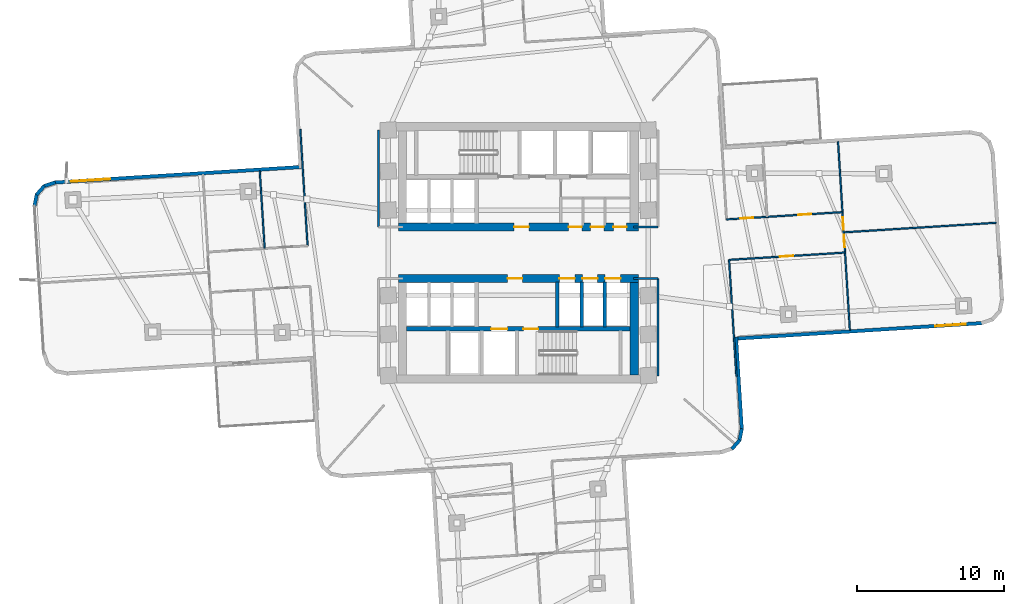
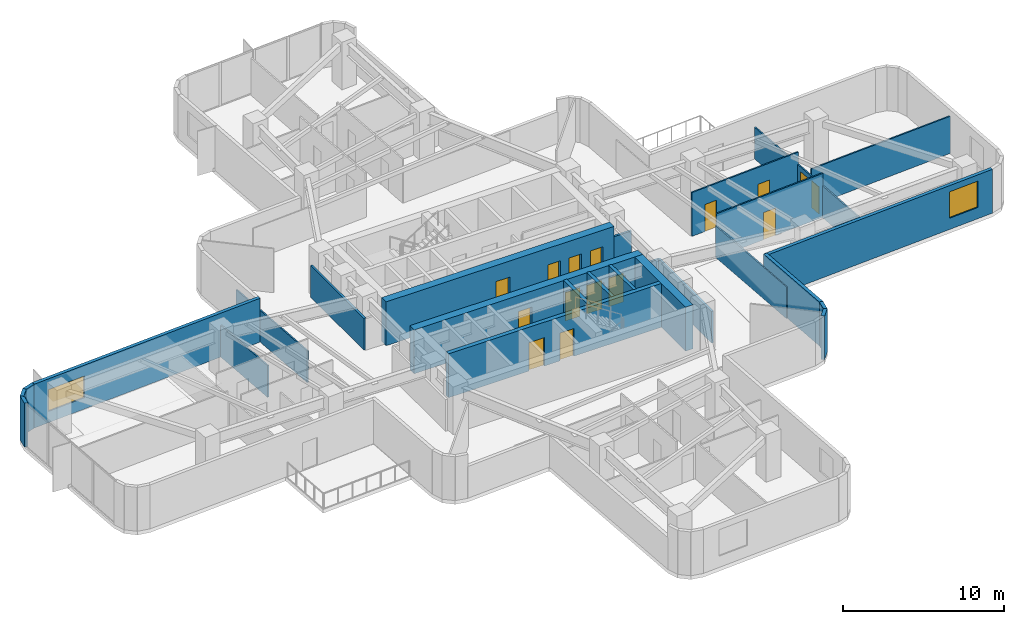
# One storey, part 9 of 16: 26 walls, 15 doors, 2 windows, 17 openings.
"""IFC4 building model written with IfcOpenShell, lengths in metres."""

from ifc_helpers import new_model, si_unit, direction, frame, frame_2d, origin, place, context, subcontext, project, spatial, rectangle, extrude, material, layer, layer_set, type_object, element, fill, save


model = new_model("IFC4")

# Units and contexts
model_context = context("Model", 3, precision=1e-05, world=origin(), true_north=direction((0.0, 1.0)))
body_context = subcontext(model_context, "Body", "Model", "MODEL_VIEW")
ifc_project = project(units=[si_unit("LENGTHUNIT", "METRE"), si_unit("AREAUNIT", "SQUARE_METRE"), si_unit("VOLUMEUNIT", "CUBIC_METRE"), si_unit("PLANEANGLEUNIT", "RADIAN"), si_unit("MASSUNIT", "GRAM", prefix="KILO")], contexts=[model_context])

# Site, building, storey
site_placement = place(None, origin())
site = spatial("IfcSite", under=ifc_project, at=site_placement, CompositionType="ELEMENT")
building_placement = place(site_placement, origin())
building = spatial("IfcBuilding", under=site, at=building_placement, Name="Solmarez Civic Tower", CompositionType="ELEMENT")
storey_placement = place(building_placement, frame((0.0, 0.0, 53.280029296875)))
storey = spatial("IfcBuildingStorey", under=building, at=storey_placement, Name="L13", CompositionType="ELEMENT", Elevation=53.280029296875)

# Wall, openings, doors
ifc_material_1 = material(Name="Concrete C60/75", Category="concrete")
ifc_layer_1 = layer(ifc_material_1, 0.550048828125)
ifc_layer_set_1 = layer_set([ifc_layer_1], Name="Concrete C60/75")
wall_type_1 = type_object("IfcWallType", Name="WALL-CORE-550", PredefinedType="SHEAR", material=ifc_layer_set_1)
wall_1_placement = place(storey_placement, frame((8.169921875, 1.75, 0.0), z_axis=(0.0, 0.0, 1.0), x_axis=(-1.0, 0.0, 0.0)))
wall_1 = element("IfcWall", 1, at=wall_1_placement, inside=storey, type_object=wall_type_1, Name="L13 Split-Core Structural Wall NCW-S-L13", PredefinedType="SHEAR", context=body_context, shape_type="SweptSolid", body=[
    extrude(rectangle(XDim=16.33984375, YDim=0.550048828125, at=frame_2d((8.169921875, 0.0))), origin(), (0.0, 0.0, 1.0), 3.320068359375),
])
opening_1_placement = place(wall_1_placement, frame((7.449951171875, 0.0, 0.0)))
opening_1 = element("IfcOpeningElement", 2, at=opening_1_placement, cuts=wall_1, Name="Opening D-04", PredefinedType="OPENING", context=body_context, shape_type="SweptSolid", body=[
    extrude(rectangle(XDim=1.0, YDim=2.10009765625, at=frame_2d((0.5, 1.050048828125))), frame((0.0, 0.284912109375, 0.0), z_axis=(0.0, -1.0, 0.0), x_axis=(1.0, 0.0, 0.0)), (0.0, 0.0, 1.0), 0.570068359375),
])
opening_2_placement = place(wall_1_placement, frame((3.85009765625, 0.0, 0.0)))
opening_2 = element("IfcOpeningElement", 3, at=opening_2_placement, cuts=wall_1, Name="Opening D-09", PredefinedType="OPENING", context=body_context, shape_type="SweptSolid", body=[
    extrude(rectangle(XDim=0.89990234375, YDim=2.06005859375, at=frame_2d((0.449951171875, 1.030029296875))), frame((0.0, 0.284912109375, 0.0), z_axis=(0.0, -1.0, 0.0), x_axis=(1.0, 0.0, 0.0)), (0.0, 0.0, 1.0), 0.570068359375),
])
opening_3_placement = place(wall_1_placement, frame((2.35009765625, 0.0, 0.0)))
opening_3 = element("IfcOpeningElement", 4, at=opening_3_placement, cuts=wall_1, Name="Opening D-09", PredefinedType="OPENING", context=body_context, shape_type="SweptSolid", body=[
    extrude(rectangle(XDim=0.89990234375, YDim=2.06005859375, at=frame_2d((0.449951171875, 1.030029296875))), frame((0.0, 0.284912109375, 0.0), z_axis=(0.0, -1.0, 0.0), x_axis=(1.0, 0.0, 0.0)), (0.0, 0.0, 1.0), 0.570068359375),
])
opening_4_placement = place(wall_1_placement, frame((0.800048828125, 0.0, 0.0)))
opening_4 = element("IfcOpeningElement", 5, at=opening_4_placement, cuts=wall_1, Name="Opening D-09", PredefinedType="OPENING", context=body_context, shape_type="SweptSolid", body=[
    extrude(rectangle(XDim=0.89990234375, YDim=2.06005859375, at=frame_2d((0.449951171875, 1.030029296875))), frame((0.0, 0.284912109375, 0.0), z_axis=(0.0, -1.0, 0.0), x_axis=(1.0, 0.0, 0.0)), (0.0, 0.0, 1.0), 0.570068359375),
])
ifc_material_2 = material(Name="Steel-Faced Acoustic Fire Door", Category="steel")
door_type_1 = type_object("IfcDoorType", Name="DOOR-FD60-1000", OperationType="NOTDEFINED", PredefinedType="DOOR", material=ifc_material_2)
door_1_placement = place(opening_1_placement, origin())
door_1 = element("IfcDoor", 6, at=door_1_placement, inside=storey, type_object=door_type_1, Name="L13 North Firefighting Lobby Door", OperationType="SINGLE_SWING_RIGHT", OverallHeight=2.10009765625, OverallWidth=1.0, PredefinedType="DOOR", context=body_context, shape_type="SweptSolid", body=[
    extrude(rectangle(XDim=1.0, YDim=2.10009765625, at=frame_2d((0.5, 1.050048828125))), frame((0.0, 0.02490234375, 0.0), z_axis=(0.0, -1.0, 0.0), x_axis=(1.0, 0.0, 0.0)), (0.0, 0.0, 1.0), 0.050048828125),
])
fill(opening_1, door_1)
ifc_material_3 = material(Name="Fire-Rated Service Core Door", Category="wood")
door_type_2 = type_object("IfcDoorType", Name="DOOR-FD60-900", OperationType="NOTDEFINED", PredefinedType="DOOR", material=ifc_material_3)
door_2_placement = place(opening_2_placement, origin())
door_2 = element("IfcDoor", 7, at=door_2_placement, inside=storey, type_object=door_type_2, Name="L13 Core WC Door", OperationType="SINGLE_SWING_RIGHT", OverallHeight=2.06005859375, OverallWidth=0.89990234375, PredefinedType="DOOR", context=body_context, shape_type="SweptSolid", body=[
    extrude(rectangle(XDim=0.89990234375, YDim=2.06005859375, at=frame_2d((0.449951171875, 1.030029296875))), frame((0.0, 0.02490234375, 0.0), z_axis=(0.0, -1.0, 0.0), x_axis=(1.0, 0.0, 0.0)), (0.0, 0.0, 1.0), 0.050048828125),
])
fill(opening_2, door_2)
door_3_placement = place(opening_3_placement, origin())
door_3 = element("IfcDoor", 8, at=door_3_placement, inside=storey, type_object=door_type_2, Name="L13 Core CL Door", OperationType="SINGLE_SWING_LEFT", OverallHeight=2.06005859375, OverallWidth=0.89990234375, PredefinedType="DOOR", context=body_context, shape_type="SweptSolid", body=[
    extrude(rectangle(XDim=0.89990234375, YDim=2.06005859375, at=frame_2d((0.449951171875, 1.030029296875))), frame((0.0, 0.02490234375, 0.0), z_axis=(0.0, -1.0, 0.0), x_axis=(1.0, 0.0, 0.0)), (0.0, 0.0, 1.0), 0.050048828125),
])
fill(opening_3, door_3)
door_4_placement = place(opening_4_placement, origin())
door_4 = element("IfcDoor", 9, at=door_4_placement, inside=storey, type_object=door_type_2, Name="L13 Core IT Door", OperationType="SINGLE_SWING_LEFT", OverallHeight=2.06005859375, OverallWidth=0.89990234375, PredefinedType="DOOR", context=body_context, shape_type="SweptSolid", body=[
    extrude(rectangle(XDim=0.89990234375, YDim=2.06005859375, at=frame_2d((0.449951171875, 1.030029296875))), frame((0.0, 0.02490234375, 0.0), z_axis=(0.0, -1.0, 0.0), x_axis=(1.0, 0.0, 0.0)), (0.0, 0.0, 1.0), 0.050048828125),
])
fill(opening_4, door_4)

wall_2_placement = place(storey_placement, frame((-8.169921875, -1.75, 0.0), z_axis=(0.0, 0.0, 1.0), x_axis=(1.0, 0.0, 0.0)))
wall_2 = element("IfcWall", 10, at=wall_2_placement, inside=storey, type_object=wall_type_1, Name="L13 Split-Core Structural Wall SCW-N-L13", PredefinedType="SHEAR", context=body_context, shape_type="SweptSolid", body=[
    extrude(rectangle(XDim=16.33984375, YDim=0.550048828125, at=frame_2d((8.169921875, 0.0))), origin(), (0.0, 0.0, 1.0), 3.320068359375),
])
opening_5_placement = place(wall_2_placement, frame((7.449951171875, 0.0, 0.0)))
opening_5 = element("IfcOpeningElement", 11, at=opening_5_placement, cuts=wall_2, Name="Opening D-04", PredefinedType="OPENING", context=body_context, shape_type="SweptSolid", body=[
    extrude(rectangle(XDim=1.0, YDim=2.10009765625, at=frame_2d((0.5, 1.050048828125))), frame((0.0, 0.284912109375, 0.0), z_axis=(0.0, -1.0, 0.0), x_axis=(1.0, 0.0, 0.0)), (0.0, 0.0, 1.0), 0.570068359375),
])
opening_6_placement = place(wall_2_placement, frame((10.965087890625, 0.0, 0.0)))
opening_6 = element("IfcOpeningElement", 12, at=opening_6_placement, cuts=wall_2, Name="Opening LD-01", PredefinedType="OPENING", context=body_context, shape_type="SweptSolid", body=[
    extrude(rectangle(XDim=1.050048828125, YDim=2.14990234375, at=frame_2d((0.52490234375, 1.074951171875))), frame((0.0, 0.284912109375, 0.0), z_axis=(0.0, -1.0, 0.0), x_axis=(1.0, 0.0, 0.0)), (0.0, 0.0, 1.0), 0.570068359375),
])
opening_7_placement = place(wall_2_placement, frame((12.52490234375, 0.0, 0.0)))
opening_7 = element("IfcOpeningElement", 13, at=opening_7_placement, cuts=wall_2, Name="Opening LD-01", PredefinedType="OPENING", context=body_context, shape_type="SweptSolid", body=[
    extrude(rectangle(XDim=1.050048828125, YDim=2.14990234375, at=frame_2d((0.52490234375, 1.074951171875))), frame((0.0, 0.284912109375, 0.0), z_axis=(0.0, -1.0, 0.0), x_axis=(1.0, 0.0, 0.0)), (0.0, 0.0, 1.0), 0.570068359375),
])
opening_8_placement = place(wall_2_placement, frame((14.0849609375, 0.0, 0.0)))
opening_8 = element("IfcOpeningElement", 14, at=opening_8_placement, cuts=wall_2, Name="Opening LD-01", PredefinedType="OPENING", context=body_context, shape_type="SweptSolid", body=[
    extrude(rectangle(XDim=1.050048828125, YDim=2.14990234375, at=frame_2d((0.52490234375, 1.074951171875))), frame((0.0, 0.284912109375, 0.0), z_axis=(0.0, -1.0, 0.0), x_axis=(1.0, 0.0, 0.0)), (0.0, 0.0, 1.0), 0.570068359375),
])
door_5_placement = place(opening_5_placement, origin())
door_5 = element("IfcDoor", 15, at=door_5_placement, inside=storey, type_object=door_type_1, Name="L13 South Firefighting Lobby Door", OperationType="SINGLE_SWING_LEFT", OverallHeight=2.10009765625, OverallWidth=1.0, PredefinedType="DOOR", context=body_context, shape_type="SweptSolid", body=[
    extrude(rectangle(XDim=1.0, YDim=2.10009765625, at=frame_2d((0.5, 1.050048828125))), frame((0.0, 0.02490234375, 0.0), z_axis=(0.0, -1.0, 0.0), x_axis=(1.0, 0.0, 0.0)), (0.0, 0.0, 1.0), 0.050048828125),
])
fill(opening_5, door_5)
ifc_material_4 = material(Name="Bronze Passenger Lift Landing Sliding Door", Category="aluminium")
door_type_3 = type_object("IfcDoorType", Name="DOOR-LD-PAX-1050", OperationType="DOUBLE_DOOR_SLIDING", PredefinedType="DOOR", material=ifc_material_4)
door_6_placement = place(opening_6_placement, origin())
door_6 = element("IfcDoor", 16, at=door_6_placement, inside=storey, type_object=door_type_3, Name="L13 Low-Rise Lift Landing Door PL-L1", OperationType="DOUBLE_DOOR_SLIDING", OverallHeight=2.14990234375, OverallWidth=1.050048828125, PredefinedType="DOOR", context=body_context, shape_type="SweptSolid", body=[
    extrude(rectangle(XDim=1.050048828125, YDim=2.14990234375, at=frame_2d((0.52490234375, 1.074951171875))), frame((0.0, 0.02490234375, 0.0), z_axis=(0.0, -1.0, 0.0), x_axis=(1.0, 0.0, 0.0)), (0.0, 0.0, 1.0), 0.050048828125),
])
fill(opening_6, door_6)
door_7_placement = place(opening_7_placement, origin())
door_7 = element("IfcDoor", 17, at=door_7_placement, inside=storey, type_object=door_type_3, Name="L13 Low-Rise Lift Landing Door PL-L2", OperationType="DOUBLE_DOOR_SLIDING", OverallHeight=2.14990234375, OverallWidth=1.050048828125, PredefinedType="DOOR", context=body_context, shape_type="SweptSolid", body=[
    extrude(rectangle(XDim=1.050048828125, YDim=2.14990234375, at=frame_2d((0.52490234375, 1.074951171875))), frame((0.0, 0.02490234375, 0.0), z_axis=(0.0, -1.0, 0.0), x_axis=(1.0, 0.0, 0.0)), (0.0, 0.0, 1.0), 0.050048828125),
])
fill(opening_7, door_7)
door_8_placement = place(opening_8_placement, origin())
door_8 = element("IfcDoor", 18, at=door_8_placement, inside=storey, type_object=door_type_3, Name="L13 Low-Rise Lift Landing Door PL-L3", OperationType="DOUBLE_DOOR_SLIDING", OverallHeight=2.14990234375, OverallWidth=1.050048828125, PredefinedType="DOOR", context=body_context, shape_type="SweptSolid", body=[
    extrude(rectangle(XDim=1.050048828125, YDim=2.14990234375, at=frame_2d((0.52490234375, 1.074951171875))), frame((0.0, 0.02490234375, 0.0), z_axis=(0.0, -1.0, 0.0), x_axis=(1.0, 0.0, 0.0)), (0.0, 0.0, 1.0), 0.050048828125),
])
fill(opening_8, door_8)

# Walls
wall_3_placement = place(storey_placement, frame((7.89501953125, -2.02490234375, 0.0), z_axis=(0.0, 0.0, 1.0), x_axis=(0.0, -1.0, 0.0)))
element("IfcWall", 19, at=wall_3_placement, inside=storey, type_object=wall_type_1, Name="L13 Split-Core Structural Wall SCW-E-L13", PredefinedType="SHEAR", context=body_context, shape_type="SweptSolid", body=[
    extrude(rectangle(XDim=6.28515625, YDim=0.550048828125, at=frame_2d((3.142578125, 0.0))), origin(), (0.0, 0.0, 1.0), 3.320068359375),
])
ifc_material_5 = material(Name="Precast concrete C40/50", Category="concrete")
ifc_layer_2 = layer(ifc_material_5, 0.239990234375)
ifc_layer_set_2 = layer_set([ifc_layer_2], Name="Precast concrete C40/50")
wall_type_2 = type_object("IfcWallType", Name="WALL-EXT-240", PredefinedType="SOLIDWALL", material=ifc_layer_set_2)
wall_4_placement = place(storey_placement, frame((-32.950927734375, 3.177001953125, 0.0), z_axis=(0.0, 0.0, 1.0), x_axis=(0.197076231398, 0.980388167522, 0.0)))
element("IfcWall", 20, at=wall_4_placement, inside=storey, type_object=wall_type_2, Name="L13 Exterior Precast Wall 7", PredefinedType="SOLIDWALL", context=body_context, shape_type="SweptSolid", body=[
    extrude(rectangle(XDim=0.831298828125, YDim=0.239990234375, at=frame_2d((0.41552734375, 0.0))), origin(), (0.0, 0.0, 1.0), 3.320068359375),
])
wall_5_placement = place(storey_placement, frame((-32.80908203125, 3.947998046875, 0.0), z_axis=(0.0, 0.0, 1.0), x_axis=(0.661532449753, 0.749916540639, 0.0)))
element("IfcWall", 21, at=wall_5_placement, inside=storey, type_object=wall_type_2, Name="L13 Exterior Precast Wall 8", PredefinedType="SOLIDWALL", context=body_context, shape_type="SweptSolid", body=[
    extrude(rectangle(XDim=0.81494140625, YDim=0.239990234375, at=frame_2d((0.407470703125, 0.0))), origin(), (0.0, 0.0, 1.0), 3.320068359375),
])
wall_6_placement = place(storey_placement, frame((-32.31103515625, 4.531982421875, 0.0), z_axis=(0.0, 0.0, 1.0), x_axis=(0.94779876374, 0.318869100812, 0.0)))
element("IfcWall", 22, at=wall_6_placement, inside=storey, type_object=wall_type_2, Name="L13 Exterior Precast Wall 9", PredefinedType="SOLIDWALL", context=body_context, shape_type="SweptSolid", body=[
    extrude(rectangle(XDim=0.83154296875, YDim=0.239990234375, at=frame_2d((0.415771484375, 0.0))), origin(), (0.0, 0.0, 1.0), 3.320068359375),
])

# Wall, opening, window
wall_7_placement = place(storey_placement, frame((-31.572021484375, 4.787109375, 0.0), z_axis=(0.0, 0.0, 1.0), x_axis=(0.998025974342, 0.062802504235, 0.0)))
wall_7 = element("IfcWall", 23, at=wall_7_placement, inside=storey, type_object=wall_type_2, Name="L13 Exterior Precast Wall 10", PredefinedType="SOLIDWALL", context=body_context, shape_type="SweptSolid", body=[
    extrude(rectangle(XDim=16.875244140625, YDim=0.239990234375, at=frame_2d((8.4375, 0.0))), origin(), (0.0, 0.0, 1.0), 3.320068359375),
])
opening_9_placement = place(wall_7_placement, frame((1.10009765625, 0.0, 0.85009765625)))
opening_9 = element("IfcOpeningElement", 24, at=opening_9_placement, cuts=wall_7, Name="Opening W-09", PredefinedType="OPENING", context=body_context, shape_type="SweptSolid", body=[
    extrude(rectangle(XDim=2.699951171875, YDim=1.64990234375, at=frame_2d((1.35009765625, 0.824951171875))), frame((0.0, 0.1298828125, 0.0), z_axis=(0.0, -1.0, 0.0), x_axis=(1.0, 0.0, 0.0)), (0.0, 0.0, 1.0), 0.260009765625),
])
ifc_material_6 = material(Name="Solar Control Bronze-Tinted Insulating Glass", Category="glass")
window_type_1 = type_object("IfcWindowType", Name="WIN-2700X1650", PartitioningType="SINGLE_PANEL", PredefinedType="WINDOW", material=ifc_material_6)
window_1_placement = place(opening_9_placement, origin())
window_1 = element("IfcWindow", 25, at=window_1_placement, inside=storey, type_object=window_type_1, Name="L13 Exterior Facade Window 10", OverallHeight=1.64990234375, OverallWidth=2.699951171875, PartitioningType="SINGLE_PANEL", PredefinedType="WINDOW", context=body_context, shape_type="SweptSolid", body=[
    extrude(rectangle(XDim=2.699951171875, YDim=1.64990234375, at=frame_2d((1.35009765625, 0.824951171875))), frame((0.0, 0.030029296875, 0.0), z_axis=(0.0, -1.0, 0.0), x_axis=(1.0, 0.0, 0.0)), (0.0, 0.0, 1.0), 0.06005859375),
])
fill(opening_9, window_1)

wall_8_placement = place(storey_placement, frame((31.572021484375, -4.787109375, 0.0), z_axis=(0.0, 0.0, 1.0), x_axis=(-0.998025974342, -0.062802504235, 0.0)))
wall_8 = element("IfcWall", 26, at=wall_8_placement, inside=storey, type_object=wall_type_2, Name="L13 Exterior Precast Wall 46", PredefinedType="SOLIDWALL", context=body_context, shape_type="SweptSolid", body=[
    extrude(rectangle(XDim=16.875244140625, YDim=0.239990234375, at=frame_2d((8.4375, 0.0))), origin(), (0.0, 0.0, 1.0), 3.320068359375),
])
opening_10_placement = place(wall_8_placement, frame((1.10009765625, 0.0, 0.85009765625)))
opening_10 = element("IfcOpeningElement", 27, at=opening_10_placement, cuts=wall_8, Name="Opening W-03", PredefinedType="OPENING", context=body_context, shape_type="SweptSolid", body=[
    extrude(rectangle(XDim=2.10009765625, YDim=2.0, at=frame_2d((1.050048828125, 1.0))), frame((0.0, 0.1298828125, 0.0), z_axis=(0.0, -1.0, 0.0), x_axis=(1.0, 0.0, 0.0)), (0.0, 0.0, 1.0), 0.260009765625),
])
window_type_2 = type_object("IfcWindowType", Name="WIN-2100X2000", PartitioningType="SINGLE_PANEL", PredefinedType="WINDOW", material=ifc_material_6)
window_2_placement = place(opening_10_placement, origin())
window_2 = element("IfcWindow", 28, at=window_2_placement, inside=storey, type_object=window_type_2, Name="L13 Exterior Facade Window 46", OverallHeight=2.0, OverallWidth=2.10009765625, PartitioningType="SINGLE_PANEL", PredefinedType="WINDOW", context=body_context, shape_type="SweptSolid", body=[
    extrude(rectangle(XDim=2.10009765625, YDim=2.0, at=frame_2d((1.050048828125, 1.0))), frame((0.0, 0.030029296875, 0.0), z_axis=(0.0, -1.0, 0.0), x_axis=(1.0, 0.0, 0.0)), (0.0, 0.0, 1.0), 0.06005859375),
])
fill(opening_10, window_2)

# Walls
wall_9_placement = place(storey_placement, frame((14.820068359375, -5.7451171875, 0.0), z_axis=(0.0, 0.0, 1.0), x_axis=(0.062902193405, -0.998019696231, 0.0)))
element("IfcWall", 29, at=wall_9_placement, inside=storey, type_object=wall_type_2, Name="L13 Exterior Precast Wall 49", PredefinedType="SOLIDWALL", context=body_context, shape_type="SweptSolid", body=[
    extrude(rectangle(XDim=6.29541015625, YDim=0.239990234375, at=frame_2d((3.147705078125, 0.0))), origin(), (0.0, 0.0, 1.0), 3.320068359375),
])
wall_10_placement = place(storey_placement, frame((15.218994140625, -11.97802734375, 0.0), z_axis=(0.0, 0.0, 1.0), x_axis=(-0.198715846348, -0.980057147523, 0.0)))
element("IfcWall", 30, at=wall_10_placement, inside=storey, type_object=wall_type_2, Name="L13 Exterior Precast Wall 50", PredefinedType="SOLIDWALL", context=body_context, shape_type="SweptSolid", body=[
    extrude(rectangle(XDim=0.83056640625, YDim=0.239990234375, at=frame_2d((0.415283203125, 0.0))), origin(), (0.0, 0.0, 1.0), 3.320068359375),
])
wall_11_placement = place(storey_placement, frame((15.075927734375, -12.748046875, 0.0), z_axis=(0.0, 0.0, 1.0), x_axis=(-0.66076961759, -0.750588777208, 0.0)))
element("IfcWall", 31, at=wall_11_placement, inside=storey, type_object=wall_type_2, Name="L13 Exterior Precast Wall 51", PredefinedType="SOLIDWALL", context=body_context, shape_type="SweptSolid", body=[
    extrude(rectangle(XDim=0.8154296875, YDim=0.239990234375, at=frame_2d((0.40771484375, 0.0))), origin(), (0.0, 0.0, 1.0), 3.320068359375),
])
ifc_material_7 = material(Name="Gypsum Board Acoustic Steel-Stud Partition", Category="steel")
ifc_layer_3 = layer(ifc_material_7, 0.14990234375)
ifc_layer_set_3 = layer_set([ifc_layer_3], Name="Gypsum Board Acoustic Steel-Stud Partition")
wall_type_3 = type_object("IfcWallType", Name="WALL-INT-FIRE-150", PredefinedType="PARTITIONING", material=ifc_layer_set_3)
wall_12_placement = place(storey_placement, frame((-9.52001953125, 1.75, 0.0), z_axis=(0.0, 0.0, 1.0), x_axis=(0.0, 1.0, 0.0)))
element("IfcWall", 32, at=wall_12_placement, inside=storey, type_object=wall_type_3, Name="L13 Interior Partition CHW-L13-WN1", PredefinedType="PARTITIONING", context=body_context, shape_type="SweptSolid", body=[
    extrude(rectangle(XDim=6.6298828125, YDim=0.14990234375, at=frame_2d((3.31494140625, 0.0))), origin(), (0.0, 0.0, 1.0), 2.40087890625),
])
wall_13_placement = place(storey_placement, frame((7.85009765625, 1.75, 0.0), z_axis=(0.0, 0.0, 1.0), x_axis=(1.0, 0.0, 0.0)))
element("IfcWall", 33, at=wall_13_placement, inside=storey, type_object=wall_type_3, Name="L13 Interior Partition CHW-L13-EN3", PredefinedType="PARTITIONING", context=body_context, shape_type="SweptSolid", body=[
    extrude(rectangle(XDim=1.669921875, YDim=0.14990234375, at=frame_2d((0.8349609375, 0.0))), origin(), (0.0, 0.0, 1.0), 2.385009765625),
])
wall_14_placement = place(storey_placement, frame((9.52001953125, -8.3798828125, 0.0), z_axis=(0.0, 0.0, 1.0), x_axis=(0.0, 1.0, 0.0)))
element("IfcWall", 34, at=wall_14_placement, inside=storey, type_object=wall_type_3, Name="L13 Interior Partition CHW-L13-ES1", PredefinedType="PARTITIONING", context=body_context, shape_type="SweptSolid", body=[
    extrude(rectangle(XDim=6.6298828125, YDim=0.14990234375, at=frame_2d((3.31494140625, 0.0))), origin(), (0.0, 0.0, 1.0), 2.40087890625),
])
wall_15_placement = place(storey_placement, frame((7.85009765625, -1.75, 0.0), z_axis=(0.0, 0.0, 1.0), x_axis=(1.0, 0.0, 0.0)))
element("IfcWall", 35, at=wall_15_placement, inside=storey, type_object=wall_type_3, Name="L13 Interior Partition CHW-L13-ES3", PredefinedType="PARTITIONING", context=body_context, shape_type="SweptSolid", body=[
    extrude(rectangle(XDim=1.669921875, YDim=0.14990234375, at=frame_2d((0.8349609375, 0.0))), origin(), (0.0, 0.0, 1.0), 2.385009765625),
])
ifc_layer_4 = layer(ifc_material_7, 0.10009765625)
ifc_layer_set_4 = layer_set([ifc_layer_4], Name="Gypsum Board Acoustic Steel-Stud Partition")
wall_type_4 = type_object("IfcWallType", Name="WALL-INT-PART-100", PredefinedType="PARTITIONING", material=ifc_layer_set_4)
wall_16_placement = place(storey_placement, frame((14.846923828125, -8.404052734375, 0.0), z_axis=(0.0, 0.0, 1.0), x_axis=(-0.062772139706, 0.998027884619, 0.0)))
element("IfcWall", 36, at=wall_16_placement, inside=storey, type_object=wall_type_4, Name="L13 Interior Partition PT-L13-E-EFR", PredefinedType="PARTITIONING", context=body_context, shape_type="SweptSolid", body=[
    extrude(rectangle(XDim=7.94970703125, YDim=0.10009765625, at=frame_2d((3.974853515625, 0.0))), origin(), (0.0, 0.0, 1.0), 2.40087890625),
])

# Wall, openings, doors
wall_17_placement = place(storey_placement, frame((22.070068359375, 2.77099609375, 0.0), z_axis=(0.0, 0.0, 1.0), x_axis=(-0.998031627252, -0.062712606425, 0.0)))
wall_17 = element("IfcWall", 37, at=wall_17_placement, inside=storey, type_object=wall_type_4, Name="L13 Interior Partition PT-L13-E-SL", PredefinedType="PARTITIONING", context=body_context, shape_type="SweptSolid", body=[
    extrude(rectangle(XDim=7.91064453125, YDim=0.10009765625, at=frame_2d((3.955322265625, 0.0))), origin(), (0.0, 0.0, 1.0), 3.320068359375),
])
opening_11_placement = place(wall_17_placement, frame((6.095947265625, 0.0, 0.0)))
opening_11 = element("IfcOpeningElement", 38, at=opening_11_placement, cuts=wall_17, Name="Opening D-14", PredefinedType="OPENING", context=body_context, shape_type="SweptSolid", body=[
    extrude(rectangle(XDim=0.860107421875, YDim=2.0400390625, at=frame_2d((0.43017578125, 1.02001953125))), frame((0.0, 0.06005859375, 0.0), z_axis=(0.0, -1.0, 0.0), x_axis=(1.0, 0.0, 0.0)), (0.0, 0.0, 1.0), 0.1201171875),
])
opening_12_placement = place(wall_17_placement, frame((2.14111328125, 0.0, 0.0)))
opening_12 = element("IfcOpeningElement", 39, at=opening_12_placement, cuts=wall_17, Name="Opening D-14", PredefinedType="OPENING", context=body_context, shape_type="SweptSolid", body=[
    extrude(rectangle(XDim=0.860107421875, YDim=2.0400390625, at=frame_2d((0.43017578125, 1.02001953125))), frame((0.0, 0.06005859375, 0.0), z_axis=(0.0, -1.0, 0.0), x_axis=(1.0, 0.0, 0.0)), (0.0, 0.0, 1.0), 0.1201171875),
])
ifc_material_8 = material(Name="Timber Storage and Pantry Door", Category="wood")
door_type_4 = type_object("IfcDoorType", Name="DOOR-INT-850", OperationType="NOTDEFINED", PredefinedType="DOOR", material=ifc_material_8)
door_9_placement = place(opening_11_placement, origin())
door_9 = element("IfcDoor", 40, at=door_9_placement, inside=storey, type_object=door_type_4, Name="L13 Municipal Law Library First East Door", OperationType="SINGLE_SWING_LEFT", OverallHeight=2.0400390625, OverallWidth=0.860107421875, PredefinedType="DOOR", context=body_context, shape_type="SweptSolid", body=[
    extrude(rectangle(XDim=0.860107421875, YDim=2.0400390625, at=frame_2d((0.43017578125, 1.02001953125))), frame((0.0, 0.02490234375, 0.0), z_axis=(0.0, -1.0, 0.0), x_axis=(1.0, 0.0, 0.0)), (0.0, 0.0, 1.0), 0.050048828125),
])
fill(opening_11, door_9)
door_10_placement = place(opening_12_placement, origin())
door_10 = element("IfcDoor", 41, at=door_10_placement, inside=storey, type_object=door_type_4, Name="L13 Public Reading Room Second East Door", OperationType="SINGLE_SWING_RIGHT", OverallHeight=2.0400390625, OverallWidth=0.860107421875, PredefinedType="DOOR", context=body_context, shape_type="SweptSolid", body=[
    extrude(rectangle(XDim=0.860107421875, YDim=2.0400390625, at=frame_2d((0.43017578125, 1.02001953125))), frame((0.0, 0.02490234375, 0.0), z_axis=(0.0, -1.0, 0.0), x_axis=(1.0, 0.0, 0.0)), (0.0, 0.0, 1.0), 0.050048828125),
])
fill(opening_12, door_10)

# Wall, opening, door
wall_18_placement = place(storey_placement, frame((14.347900390625, -0.47998046875, 0.0), z_axis=(0.0, 0.0, 1.0), x_axis=(0.998023893104, 0.062835569496, 0.0)))
wall_18 = element("IfcWall", 42, at=wall_18_placement, inside=storey, type_object=wall_type_4, Name="L13 Interior Partition PT-L13-E-SR", PredefinedType="PARTITIONING", context=body_context, shape_type="SweptSolid", body=[
    extrude(rectangle(XDim=7.91064453125, YDim=0.10009765625, at=frame_2d((3.955322265625, 0.0))), origin(), (0.0, 0.0, 1.0), 3.320068359375),
])
opening_13_placement = place(wall_18_placement, frame((3.47509765625, 0.0, 0.0)))
opening_13 = element("IfcOpeningElement", 43, at=opening_13_placement, cuts=wall_18, Name="Opening D-08", PredefinedType="OPENING", context=body_context, shape_type="SweptSolid", body=[
    extrude(rectangle(XDim=0.89990234375, YDim=2.06005859375, at=frame_2d((0.449951171875, 1.030029296875))), frame((0.0, 0.06005859375, 0.0), z_axis=(0.0, -1.0, 0.0), x_axis=(1.0, 0.0, 0.0)), (0.0, 0.0, 1.0), 0.1201171875),
])
ifc_material_9 = material(Name="Solid-Core Timber Office Door", Category="wood")
door_type_5 = type_object("IfcDoorType", Name="DOOR-INT-900", OperationType="NOTDEFINED", PredefinedType="DOOR", material=ifc_material_9)
door_11_placement = place(opening_13_placement, origin())
door_11 = element("IfcDoor", 44, at=door_11_placement, inside=storey, type_object=door_type_5, Name="L13 Legal Study Room Third East Door", OperationType="SINGLE_SWING_RIGHT", OverallHeight=2.06005859375, OverallWidth=0.89990234375, PredefinedType="DOOR", context=body_context, shape_type="SweptSolid", body=[
    extrude(rectangle(XDim=0.89990234375, YDim=2.06005859375, at=frame_2d((0.449951171875, 1.030029296875))), frame((0.0, 0.02490234375, 0.0), z_axis=(0.0, -1.0, 0.0), x_axis=(1.0, 0.0, 0.0)), (0.0, 0.0, 1.0), 0.050048828125),
])
fill(opening_13, door_11)

# Wall
wall_19_placement = place(storey_placement, frame((22.216064453125, 1.39794921875, 0.0), z_axis=(0.0, 0.0, 1.0), x_axis=(0.998025462108, 0.062810643876, 0.0)))
element("IfcWall", 45, at=wall_19_placement, inside=storey, type_object=wall_type_4, Name="L13 Interior Partition PT-L13-E-TM", PredefinedType="PARTITIONING", context=body_context, shape_type="SweptSolid", body=[
    extrude(rectangle(XDim=10.33544921875, YDim=0.10009765625, at=frame_2d((5.167724609375, 0.0))), origin(), (0.0, 0.0, 1.0), 2.81201171875),
])

# Wall, openings, doors
wall_20_placement = place(storey_placement, frame((21.76708984375, 7.576904296875, 0.0), z_axis=(0.0, 0.0, 1.0), x_axis=(0.062769180357, -0.998028070746, 0.0)))
wall_20 = element("IfcWall", 46, at=wall_20_placement, inside=storey, type_object=wall_type_4, Name="L13 Interior Partition PT-L13-E-END", PredefinedType="PARTITIONING", context=body_context, shape_type="SweptSolid", body=[
    extrude(rectangle(XDim=12.870361328125, YDim=0.10009765625, at=frame_2d((6.43505859375, 0.0))), origin(), (0.0, 0.0, 1.0), 2.40087890625),
])
opening_14_placement = place(wall_20_placement, frame((6.364990234375, 0.0, 0.0)))
opening_14 = element("IfcOpeningElement", 47, at=opening_14_placement, cuts=wall_20, Name="Opening D-14", PredefinedType="OPENING", context=body_context, shape_type="SweptSolid", body=[
    extrude(rectangle(XDim=0.860107421875, YDim=2.0400390625, at=frame_2d((0.43017578125, 1.02001953125))), frame((0.0, 0.06005859375, 0.0), z_axis=(0.0, -1.0, 0.0), x_axis=(1.0, 0.0, 0.0)), (0.0, 0.0, 1.0), 0.1201171875),
])
opening_15_placement = place(wall_20_placement, frame((5.1650390625, 0.0, 0.0)))
opening_15 = element("IfcOpeningElement", 48, at=opening_15_placement, cuts=wall_20, Name="Opening D-14", PredefinedType="OPENING", context=body_context, shape_type="SweptSolid", body=[
    extrude(rectangle(XDim=0.860107421875, YDim=2.0400390625, at=frame_2d((0.43017578125, 1.02001953125))), frame((0.0, 0.06005859375, 0.0), z_axis=(0.0, -1.0, 0.0), x_axis=(1.0, 0.0, 0.0)), (0.0, 0.0, 1.0), 0.1201171875),
])
door_12_placement = place(opening_14_placement, origin())
door_12 = element("IfcDoor", 49, at=door_12_placement, inside=storey, type_object=door_type_4, Name="L13 Policy Administration Office Sixth East Door", OperationType="SINGLE_SWING_RIGHT", OverallHeight=2.0400390625, OverallWidth=0.860107421875, PredefinedType="DOOR", context=body_context, shape_type="SweptSolid", body=[
    extrude(rectangle(XDim=0.860107421875, YDim=2.0400390625, at=frame_2d((0.43017578125, 1.02001953125))), frame((0.0, 0.02490234375, 0.0), z_axis=(0.0, -1.0, 0.0), x_axis=(1.0, 0.0, 0.0)), (0.0, 0.0, 1.0), 0.050048828125),
])
fill(opening_14, door_12)
door_13_placement = place(opening_15_placement, origin())
door_13 = element("IfcDoor", 50, at=door_13_placement, inside=storey, type_object=door_type_4, Name="L13 Legal Study Room Fifth East Door", OperationType="SINGLE_SWING_LEFT", OverallHeight=2.0400390625, OverallWidth=0.860107421875, PredefinedType="DOOR", context=body_context, shape_type="SweptSolid", body=[
    extrude(rectangle(XDim=0.860107421875, YDim=2.0400390625, at=frame_2d((0.43017578125, 1.02001953125))), frame((0.0, 0.02490234375, 0.0), z_axis=(0.0, -1.0, 0.0), x_axis=(1.0, 0.0, 0.0)), (0.0, 0.0, 1.0), 0.050048828125),
])
fill(opening_15, door_13)

# Walls
wall_21_placement = place(storey_placement, frame((-14.846923828125, 8.404052734375, 0.0), z_axis=(0.0, 0.0, 1.0), x_axis=(0.062772139706, -0.998027884619, 0.0)))
element("IfcWall", 51, at=wall_21_placement, inside=storey, type_object=wall_type_4, Name="L13 Interior Partition PT-L13-W-EFR", PredefinedType="PARTITIONING", context=body_context, shape_type="SweptSolid", body=[
    extrude(rectangle(XDim=7.94970703125, YDim=0.10009765625, at=frame_2d((3.974853515625, 0.0))), origin(), (0.0, 0.0, 1.0), 2.40087890625),
])
wall_22_placement = place(storey_placement, frame((-17.60498046875, 5.5810546875, 0.0), z_axis=(0.0, 0.0, 1.0), x_axis=(0.0627528266, -0.998029099152, 0.0)))
element("IfcWall", 52, at=wall_22_placement, inside=storey, type_object=wall_type_4, Name="L13 Interior Partition PT-L13-W-RM", PredefinedType="PARTITIONING", context=body_context, shape_type="SweptSolid", body=[
    extrude(rectangle(XDim=5.275634765625, YDim=0.10009765625, at=frame_2d((2.6376953125, 0.0))), origin(), (0.0, 0.0, 1.0), 2.40087890625),
])

# Wall, openings, doors
ifc_material_10 = material(Name="Concrete C50/60", Category="concrete")
ifc_layer_5 = layer(ifc_material_10, 0.300048828125)
ifc_layer_set_5 = layer_set([ifc_layer_5], Name="Concrete C50/60")
wall_type_5 = type_object("IfcWallType", Name="WALL-STR-300", PredefinedType="SOLIDWALL", material=ifc_layer_set_5)
wall_23_placement = place(storey_placement, frame((-7.6201171875, -5.179931640625, 0.0), z_axis=(0.0, 0.0, 1.0), x_axis=(1.0, 0.0, 0.0)))
wall_23 = element("IfcWall", 53, at=wall_23_placement, inside=storey, type_object=wall_type_5, Name="L13 Split-Core Structural Wall SCW-M-L13", PredefinedType="SOLIDWALL", context=body_context, shape_type="SweptSolid", body=[
    extrude(rectangle(XDim=15.240234375, YDim=0.300048828125, at=frame_2d((7.6201171875, 0.0))), origin(), (0.0, 0.0, 1.0), 3.320068359375),
])
opening_16_placement = place(wall_23_placement, frame((5.77001953125, 0.0, 0.0)))
opening_16 = element("IfcOpeningElement", 54, at=opening_16_placement, cuts=wall_23, Name="Opening LD-02", PredefinedType="OPENING", context=body_context, shape_type="SweptSolid", body=[
    extrude(rectangle(XDim=1.10009765625, YDim=2.14990234375, at=frame_2d((0.550048828125, 1.074951171875))), frame((0.0, 0.159912109375, 0.0), z_axis=(0.0, -1.0, 0.0), x_axis=(1.0, 0.0, 0.0)), (0.0, 0.0, 1.0), 0.320068359375),
])
opening_17_placement = place(wall_23_placement, frame((7.969970703125, 0.0, 0.0)))
opening_17 = element("IfcOpeningElement", 55, at=opening_17_placement, cuts=wall_23, Name="Opening D-05", PredefinedType="OPENING", context=body_context, shape_type="SweptSolid", body=[
    extrude(rectangle(XDim=1.0, YDim=2.10009765625, at=frame_2d((0.5, 1.050048828125))), frame((0.0, 0.159912109375, 0.0), z_axis=(0.0, -1.0, 0.0), x_axis=(1.0, 0.0, 0.0)), (0.0, 0.0, 1.0), 0.320068359375),
])
ifc_material_11 = material(Name="Fire-Rated Stairwell Exit Door", Category="wood")
door_type_6 = type_object("IfcDoorType", Name="DOOR-FD90-1000", OperationType="NOTDEFINED", PredefinedType="DOOR", material=ifc_material_11)
door_14_placement = place(opening_17_placement, origin())
door_14 = element("IfcDoor", 56, at=door_14_placement, inside=storey, type_object=door_type_6, Name="L13 South Exit Stair Door ST-2", OperationType="SINGLE_SWING_LEFT", OverallHeight=2.10009765625, OverallWidth=1.0, PredefinedType="DOOR", context=body_context, shape_type="SweptSolid", body=[
    extrude(rectangle(XDim=1.0, YDim=2.10009765625, at=frame_2d((0.5, 1.050048828125))), frame((0.0, 0.02490234375, 0.0), z_axis=(0.0, -1.0, 0.0), x_axis=(1.0, 0.0, 0.0)), (0.0, 0.0, 1.0), 0.050048828125),
])
fill(opening_17, door_14)
ifc_material_12 = material(Name="Stainless Firefighting Lift Landing Sliding Door", Category="aluminium")
door_type_7 = type_object("IfcDoorType", Name="DOOR-LD-FF-1100", OperationType="DOUBLE_DOOR_SLIDING", PredefinedType="DOOR", material=ifc_material_12)
door_15_placement = place(opening_16_placement, origin())
door_15 = element("IfcDoor", 57, at=door_15_placement, inside=storey, type_object=door_type_7, Name="L13 Firefighting Lift Landing Door FFL-2", OperationType="DOUBLE_DOOR_SLIDING", OverallHeight=2.14990234375, OverallWidth=1.10009765625, PredefinedType="DOOR", context=body_context, shape_type="SweptSolid", body=[
    extrude(rectangle(XDim=1.10009765625, YDim=2.14990234375, at=frame_2d((0.550048828125, 1.074951171875))), frame((0.0, 0.02490234375, 0.0), z_axis=(0.0, -1.0, 0.0), x_axis=(1.0, 0.0, 0.0)), (0.0, 0.0, 1.0), 0.050048828125),
])
fill(opening_16, door_15)

# Walls
wall_24_placement = place(storey_placement, frame((2.64990234375, -5.050048828125, 0.0), z_axis=(0.0, 0.0, 1.0), x_axis=(0.0, 1.0, 0.0)))
element("IfcWall", 58, at=wall_24_placement, inside=storey, type_object=wall_type_5, Name="L13 Split-Core Structural Wall SHW-SL2-L13", PredefinedType="SOLIDWALL", context=body_context, shape_type="SweptSolid", body=[
    extrude(rectangle(XDim=3.070068359375, YDim=0.25, at=frame_2d((1.53515625, 0.0))), origin(), (0.0, 0.0, 1.0), 3.320068359375),
])
for number, where, z_axis, x_axis, name in (
    (59, (4.320068359375, -5.050048828125, 0.0), (0.0, 0.0, 1.0), (0.0, 1.0, 0.0), "L13 Split-Core Structural Wall SHW-PLL-L13-1"),
    (60, (5.8798828125, -5.050048828125, 0.0), (0.0, 0.0, 1.0), (0.0, 1.0, 0.0), "L13 Split-Core Structural Wall SHW-PLL-L13-2"),
):
    element("IfcWall", number, at=place(storey_placement, frame(where, z_axis=z_axis, x_axis=x_axis)), inside=storey, type_object=wall_type_5, Name=name, PredefinedType="SOLIDWALL", context=body_context, shape_type="SweptSolid", body=[
        extrude(rectangle(XDim=3.070068359375, YDim=0.219970703125, at=frame_2d((1.53515625, 0.0))), origin(), (0.0, 0.0, 1.0), 3.320068359375),
    ])

save(model, "model.ifc")
